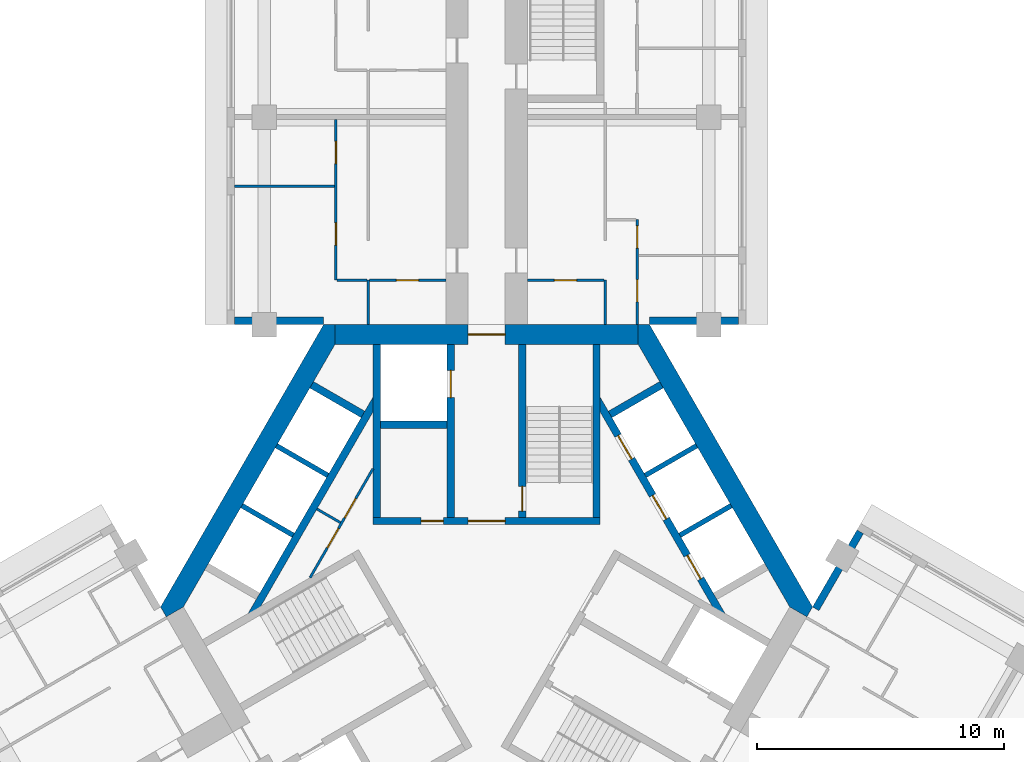
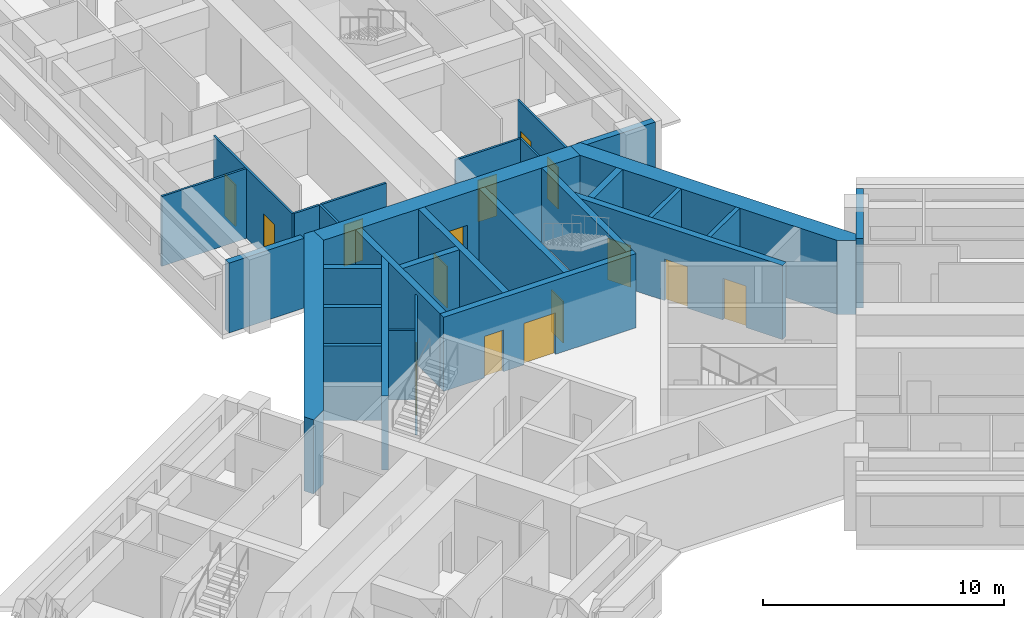
# One storey, part 8 of 14: 30 walls, 16 doors, 16 openings.
"""IFC4 building model written with IfcOpenShell, lengths in metres."""

from ifc_helpers import new_model, si_unit, direction, frame, frame_2d, origin, place, context, subcontext, project, spatial, polyline, rectangle, outline, extrude, material, layer, layer_set, type_object, element, fill, save


model = new_model("IFC4")

# Units and contexts
model_context = context("Model", 3, precision=1e-05, world=origin(), true_north=direction((0.0, 1.0)))
body_context = subcontext(model_context, "Body", "Model", "MODEL_VIEW")
ifc_project = project(units=[si_unit("LENGTHUNIT", "METRE"), si_unit("AREAUNIT", "SQUARE_METRE"), si_unit("VOLUMEUNIT", "CUBIC_METRE"), si_unit("PLANEANGLEUNIT", "RADIAN"), si_unit("MASSUNIT", "GRAM", prefix="KILO")], contexts=[model_context])

# Site, building, storey
site_placement = place(None, origin())
site = spatial("IfcSite", under=ifc_project, at=site_placement, CompositionType="ELEMENT")
building_placement = place(site_placement, origin())
building = spatial("IfcBuilding", under=site, at=building_placement, Name="Impinga Residences", CompositionType="ELEMENT")
storey_placement = place(building_placement, frame((0.0, 0.0, 121.0)))
storey = spatial("IfcBuildingStorey", under=building, at=storey_placement, Name="L29", CompositionType="ELEMENT", Elevation=121.0)

# Wall, openings, doors
ifc_material_1 = material(Name="Concrete blockwork", Category="masonry")
ifc_layer_1 = layer(ifc_material_1, 0.10009765625)
ifc_layer_set_1 = layer_set([ifc_layer_1], Name="CP1 core room partition, blockwork 100")
wall_type_1 = type_object("IfcWallType", Name="CP1 core room partition, blockwork 100", PredefinedType="PARTITIONING", material=ifc_layer_set_1)
wall_1_placement = place(storey_placement, frame((-7.14599609375, 1.185791015625, 0.0), z_axis=(0.0, 0.0, 1.0), x_axis=(0.499975622669, 0.866039477586, 0.0)))
wall_1 = element("IfcWall", 1, at=wall_1_placement, inside=storey, type_object=wall_type_1, Name="Core room partition, blockwork L29:CORE:high:FP", PredefinedType="PARTITIONING", context=body_context, shape_type="SweptSolid", body=[
    extrude(rectangle(XDim=5.092041015625, YDim=0.10009765625, at=frame_2d((2.5458984375, 0.0))), origin(), (0.0, 0.0, 1.0), 3.530029296875),
])
opening_1_placement = place(wall_1_placement, frame((1.39599609375, 0.0, 0.0)))
opening_1 = element("IfcOpeningElement", 2, at=opening_1_placement, cuts=wall_1, Name="Opening D6", PredefinedType="OPENING", context=body_context, shape_type="SweptSolid", body=[
    extrude(rectangle(XDim=0.89990234375, YDim=2.10009765625, at=frame_2d((0.449951171875, 1.050048828125))), frame((0.0, 0.06005859375, 0.0), z_axis=(0.0, -1.0, 0.0), x_axis=(1.0, 0.0, 0.0)), (0.0, 0.0, 1.0), 0.1201171875),
])
opening_2_placement = place(wall_1_placement, frame((2.7958984375, 0.0, 0.0)))
opening_2 = element("IfcOpeningElement", 3, at=opening_2_placement, cuts=wall_1, Name="Opening D6", PredefinedType="OPENING", context=body_context, shape_type="SweptSolid", body=[
    extrude(rectangle(XDim=0.89990234375, YDim=2.10009765625, at=frame_2d((0.449951171875, 1.050048828125))), frame((0.0, 0.06005859375, 0.0), z_axis=(0.0, -1.0, 0.0), x_axis=(1.0, 0.0, 0.0)), (0.0, 0.0, 1.0), 0.1201171875),
])
ifc_material_2 = material(Name="Timber door set", Category="wood")
door_type_1 = type_object("IfcDoorType", Name="D6 riser and store door 900x2100", OperationType="SINGLE_SWING_LEFT", PredefinedType="DOOR", material=ifc_material_2)
door_1_placement = place(opening_1_placement, origin())
door_1 = element("IfcDoor", 4, at=door_1_placement, inside=storey, type_object=door_type_1, Name="Housekeeping store door", OperationType="SINGLE_SWING_LEFT", OverallHeight=2.10009765625, OverallWidth=0.89990234375, PredefinedType="DOOR", context=body_context, shape_type="SweptSolid", body=[
    extrude(rectangle(XDim=0.89990234375, YDim=2.10009765625, at=frame_2d((0.449951171875, 1.050048828125))), frame((0.0, 0.02490234375, 0.0), z_axis=(0.0, -1.0, 0.0), x_axis=(1.0, 0.0, 0.0)), (0.0, 0.0, 1.0), 0.050048828125),
])
fill(opening_1, door_1)
door_2_placement = place(opening_2_placement, origin())
door_2 = element("IfcDoor", 5, at=door_2_placement, inside=storey, type_object=door_type_1, Name="Linen store door", OperationType="SINGLE_SWING_RIGHT", OverallHeight=2.10009765625, OverallWidth=0.89990234375, PredefinedType="DOOR", context=body_context, shape_type="SweptSolid", body=[
    extrude(rectangle(XDim=0.89990234375, YDim=2.10009765625, at=frame_2d((0.449951171875, 1.050048828125))), frame((0.0, 0.02490234375, 0.0), z_axis=(0.0, -1.0, 0.0), x_axis=(1.0, 0.0, 0.0)), (0.0, 0.0, 1.0), 0.050048828125),
])
fill(opening_2, door_2)

# Walls
wall_2_placement = place(storey_placement, frame((-5.916259765625, 3.415771484375, 0.0), z_axis=(0.0, 0.0, 1.0), x_axis=(-0.866008176907, 0.50002983664, 0.0)))
element("IfcWall", 6, at=wall_2_placement, inside=storey, type_object=wall_type_1, Name="Core room partition, blockwork L29:CORE:high:FS", PredefinedType="PARTITIONING", context=body_context, shape_type="SweptSolid", body=[
    extrude(rectangle(XDim=1.10009765625, YDim=0.10009765625, at=frame_2d((0.550048828125, 0.0))), origin(), (0.0, 0.0, 1.0), 3.530029296875),
])
ifc_material_3 = material(Name="Terracotta rainscreen on blockwork", Category="masonry")
ifc_layer_2 = layer(ifc_material_3, 0.300048828125)
ifc_layer_set_2 = layer_set([ifc_layer_2], Name="EW1 external wall, terracotta rainscreen on blockwork 300")
wall_type_2 = type_object("IfcWallType", Name="EW1 external wall, terracotta rainscreen on blockwork 300", PredefinedType="SOLIDWALL", material=ifc_layer_set_2)
for number, where, z_axis, x_axis, name in (
    (7, (-6.60009765625, 11.58154296875, 0.0), (0.0, 0.0, 1.0), (-1.0, 0.0, 0.0), "External wall EW1 L29"),
    (8, (10.199951171875, 11.58154296875, 0.0), (0.0, 0.0, 1.0), (-1.0, 0.0, 0.0), "External wall EW1 L29"),
):
    element("IfcWall", number, at=place(storey_placement, frame(where, z_axis=z_axis, x_axis=x_axis)), inside=storey, type_object=wall_type_2, Name=name, PredefinedType="SOLIDWALL", context=body_context, shape_type="SweptSolid", body=[
        extrude(rectangle(XDim=3.599853515625, YDim=0.300048828125, at=frame_2d((1.7998046875, 0.0))), origin(), (0.0, 0.0, 1.0), 3.530029296875),
    ])
wall_3_placement = place(storey_placement, frame((13.329833984375, -0.074951171875, 0.0), z_axis=(0.0, 0.0, 1.0), x_axis=(0.500012057535, 0.866018442252, 0.0)))
element("IfcWall", 9, at=wall_3_placement, inside=storey, type_object=wall_type_2, Name="External wall EW1 L29", PredefinedType="SOLIDWALL", context=body_context, shape_type="SweptSolid", body=[
    extrude(rectangle(XDim=3.60009765625, YDim=0.300048828125, at=frame_2d((1.800048828125, 0.0))), origin(), (0.0, 0.0, 1.0), 3.530029296875),
])
ifc_material_4 = material(Name="Gypsum board on steel studs", Category="steel")
ifc_layer_3 = layer(ifc_material_4, 0.10009765625)
ifc_layer_set_3 = layer_set([ifc_layer_3], Name="Gypsum board on steel studs")
wall_type_3 = type_object("IfcWallType", Name="IP1 partition 100", PredefinedType="PARTITIONING", material=ifc_layer_set_3)
wall_4_placement = place(storey_placement, frame((-4.800048828125, 11.431640625, 0.0), z_axis=(0.0, 0.0, 1.0), x_axis=(0.0, 1.0, 0.0)))
element("IfcWall", 10, at=wall_4_placement, inside=storey, type_object=wall_type_3, Name="Partition L29-NA1:DIV0", PredefinedType="PARTITIONING", context=body_context, shape_type="SweptSolid", body=[
    extrude(rectangle(XDim=1.7998046875, YDim=0.10009765625, at=frame_2d((0.89990234375, 0.0))), origin(), (0.0, 0.0, 1.0), 3.530029296875),
])

# Wall, openings, doors
wall_5_placement = place(storey_placement, frame((-6.10009765625, 13.2314453125, 0.0), z_axis=(0.0, 0.0, 1.0), x_axis=(0.0, 1.0, 0.0)))
wall_5 = element("IfcWall", 11, at=wall_5_placement, inside=storey, type_object=wall_type_3, Name="Partition L29-NA1:STRIP", PredefinedType="PARTITIONING", context=body_context, shape_type="SweptSolid", body=[
    extrude(rectangle(XDim=6.5, YDim=0.10009765625, at=frame_2d((3.25, 0.0))), origin(), (0.0, 0.0, 1.0), 3.530029296875),
])
opening_3_placement = place(wall_5_placement, frame((1.425048828125, 0.0, 0.0)))
opening_3 = element("IfcOpeningElement", 12, at=opening_3_placement, cuts=wall_5, Name="Opening D2", PredefinedType="OPENING", context=body_context, shape_type="SweptSolid", body=[
    extrude(rectangle(XDim=0.89990234375, YDim=2.10009765625, at=frame_2d((0.449951171875, 1.050048828125))), frame((0.0, 0.06005859375, 0.0), z_axis=(0.0, -1.0, 0.0), x_axis=(1.0, 0.0, 0.0)), (0.0, 0.0, 1.0), 0.1201171875),
])
opening_4_placement = place(wall_5_placement, frame((4.72509765625, 0.0, 0.0)))
opening_4 = element("IfcOpeningElement", 13, at=opening_4_placement, cuts=wall_5, Name="Opening D2", PredefinedType="OPENING", context=body_context, shape_type="SweptSolid", body=[
    extrude(rectangle(XDim=0.89990234375, YDim=2.10009765625, at=frame_2d((0.449951171875, 1.050048828125))), frame((0.0, 0.06005859375, 0.0), z_axis=(0.0, -1.0, 0.0), x_axis=(1.0, 0.0, 0.0)), (0.0, 0.0, 1.0), 0.1201171875),
])
door_type_2 = type_object("IfcDoorType", Name="D2 internal door 900x2100", OperationType="SINGLE_SWING_LEFT", PredefinedType="DOOR", material=ifc_material_2)
door_3_placement = place(opening_3_placement, origin())
door_3 = element("IfcDoor", 14, at=door_3_placement, inside=storey, type_object=door_type_2, Name="Apartment L29-NA1 room door", OperationType="SINGLE_SWING_LEFT", OverallHeight=2.10009765625, OverallWidth=0.89990234375, PredefinedType="DOOR", context=body_context, shape_type="SweptSolid", body=[
    extrude(rectangle(XDim=0.89990234375, YDim=2.10009765625, at=frame_2d((0.449951171875, 1.050048828125))), frame((0.0, 0.02490234375, 0.0), z_axis=(0.0, -1.0, 0.0), x_axis=(1.0, 0.0, 0.0)), (0.0, 0.0, 1.0), 0.050048828125),
])
fill(opening_3, door_3)
door_4_placement = place(opening_4_placement, origin())
door_4 = element("IfcDoor", 15, at=door_4_placement, inside=storey, type_object=door_type_2, Name="Apartment L29-NA1 room door", OperationType="SINGLE_SWING_RIGHT", OverallHeight=2.10009765625, OverallWidth=0.89990234375, PredefinedType="DOOR", context=body_context, shape_type="SweptSolid", body=[
    extrude(rectangle(XDim=0.89990234375, YDim=2.10009765625, at=frame_2d((0.449951171875, 1.050048828125))), frame((0.0, 0.02490234375, 0.0), z_axis=(0.0, -1.0, 0.0), x_axis=(1.0, 0.0, 0.0)), (0.0, 0.0, 1.0), 0.050048828125),
])
fill(opening_4, door_4)

# Wall
wall_6_placement = place(storey_placement, frame((-4.85009765625, 13.2314453125, 0.0), z_axis=(0.0, 0.0, 1.0), x_axis=(-1.0, 0.0, 0.0)))
element("IfcWall", 16, at=wall_6_placement, inside=storey, type_object=wall_type_3, Name="Partition L29-NA1:SE0", PredefinedType="PARTITIONING", context=body_context, shape_type="SweptSolid", body=[
    extrude(rectangle(XDim=1.199951171875, YDim=0.10009765625, at=frame_2d((0.60009765625, 0.0))), origin(), (0.0, 0.0, 1.0), 3.530029296875),
])

# Wall, opening, door
wall_7_placement = place(storey_placement, frame((-1.64990234375, 13.2314453125, 0.0), z_axis=(0.0, 0.0, 1.0), x_axis=(-1.0, 0.0, 0.0)))
wall_7 = element("IfcWall", 17, at=wall_7_placement, inside=storey, type_object=wall_type_3, Name="Partition L29-NA1:IB1", PredefinedType="PARTITIONING", context=body_context, shape_type="SweptSolid", body=[
    extrude(rectangle(XDim=3.10009765625, YDim=0.10009765625, at=frame_2d((1.550048828125, 0.0))), origin(), (0.0, 0.0, 1.0), 3.530029296875),
])
opening_5_placement = place(wall_7_placement, frame((1.10009765625, 0.0, 0.0)))
opening_5 = element("IfcOpeningElement", 18, at=opening_5_placement, cuts=wall_7, Name="Opening D2", PredefinedType="OPENING", context=body_context, shape_type="SweptSolid", body=[
    extrude(rectangle(XDim=0.89990234375, YDim=2.10009765625, at=frame_2d((0.449951171875, 1.050048828125))), frame((0.0, 0.06005859375, 0.0), z_axis=(0.0, -1.0, 0.0), x_axis=(1.0, 0.0, 0.0)), (0.0, 0.0, 1.0), 0.1201171875),
])
door_5_placement = place(opening_5_placement, origin())
door_5 = element("IfcDoor", 19, at=door_5_placement, inside=storey, type_object=door_type_2, Name="Apartment L29-NA1 bathroom door", OperationType="SINGLE_SWING_LEFT", OverallHeight=2.10009765625, OverallWidth=0.89990234375, PredefinedType="DOOR", context=body_context, shape_type="SweptSolid", body=[
    extrude(rectangle(XDim=0.89990234375, YDim=2.10009765625, at=frame_2d((0.449951171875, 1.050048828125))), frame((0.0, 0.02490234375, 0.0), z_axis=(0.0, -1.0, 0.0), x_axis=(1.0, 0.0, 0.0)), (0.0, 0.0, 1.0), 0.050048828125),
])
fill(opening_5, door_5)

# Walls
wall_8_placement = place(storey_placement, frame((-6.14990234375, 17.031494140625, 0.0), z_axis=(0.0, 0.0, 1.0), x_axis=(-1.0, 0.0, 0.0)))
element("IfcWall", 20, at=wall_8_placement, inside=storey, type_object=wall_type_3, Name="Partition L29-NA1:OB1", PredefinedType="PARTITIONING", context=body_context, shape_type="SweptSolid", body=[
    extrude(rectangle(XDim=4.050048828125, YDim=0.10009765625, at=frame_2d((2.02490234375, 0.0))), origin(), (0.0, 0.0, 1.0), 3.530029296875),
])
wall_9_placement = place(storey_placement, frame((4.800048828125, 11.431640625, 0.0), z_axis=(0.0, 0.0, 1.0), x_axis=(0.0, 1.0, 0.0)))
element("IfcWall", 21, at=wall_9_placement, inside=storey, type_object=wall_type_3, Name="Partition L29-NF1:DIV0", PredefinedType="PARTITIONING", context=body_context, shape_type="SweptSolid", body=[
    extrude(rectangle(XDim=1.7998046875, YDim=0.10009765625, at=frame_2d((0.89990234375, 0.0))), origin(), (0.0, 0.0, 1.0), 3.530029296875),
])

# Wall, openings, doors
wall_10_placement = place(storey_placement, frame((6.10009765625, 11.431640625, 0.0), z_axis=(0.0, 0.0, 1.0), x_axis=(0.0, 1.0, 0.0)))
wall_10 = element("IfcWall", 22, at=wall_10_placement, inside=storey, type_object=wall_type_3, Name="Partition L29-NF1:STRIP", PredefinedType="PARTITIONING", context=body_context, shape_type="SweptSolid", body=[
    extrude(rectangle(XDim=4.25, YDim=0.10009765625, at=frame_2d((2.125, 0.0))), origin(), (0.0, 0.0, 1.0), 3.530029296875),
])
opening_6_placement = place(wall_10_placement, frame((0.925048828125, 0.0, 0.0)))
opening_6 = element("IfcOpeningElement", 23, at=opening_6_placement, cuts=wall_10, Name="Opening D2", PredefinedType="OPENING", context=body_context, shape_type="SweptSolid", body=[
    extrude(rectangle(XDim=0.89990234375, YDim=2.10009765625, at=frame_2d((0.449951171875, 1.050048828125))), frame((0.0, 0.06005859375, 0.0), z_axis=(0.0, -1.0, 0.0), x_axis=(1.0, 0.0, 0.0)), (0.0, 0.0, 1.0), 0.1201171875),
])
opening_7_placement = place(wall_10_placement, frame((3.10009765625, 0.0, 0.0)))
opening_7 = element("IfcOpeningElement", 24, at=opening_7_placement, cuts=wall_10, Name="Opening D2", PredefinedType="OPENING", context=body_context, shape_type="SweptSolid", body=[
    extrude(rectangle(XDim=0.89990234375, YDim=2.10009765625, at=frame_2d((0.449951171875, 1.050048828125))), frame((0.0, 0.06005859375, 0.0), z_axis=(0.0, -1.0, 0.0), x_axis=(1.0, 0.0, 0.0)), (0.0, 0.0, 1.0), 0.1201171875),
])
door_6_placement = place(opening_6_placement, origin())
door_6 = element("IfcDoor", 25, at=door_6_placement, inside=storey, type_object=door_type_2, Name="Apartment L29-NF1 room door", OperationType="SINGLE_SWING_LEFT", OverallHeight=2.10009765625, OverallWidth=0.89990234375, PredefinedType="DOOR", context=body_context, shape_type="SweptSolid", body=[
    extrude(rectangle(XDim=0.89990234375, YDim=2.10009765625, at=frame_2d((0.449951171875, 1.050048828125))), frame((0.0, 0.02490234375, 0.0), z_axis=(0.0, -1.0, 0.0), x_axis=(1.0, 0.0, 0.0)), (0.0, 0.0, 1.0), 0.050048828125),
])
fill(opening_6, door_6)
door_7_placement = place(opening_7_placement, origin())
door_7 = element("IfcDoor", 26, at=door_7_placement, inside=storey, type_object=door_type_2, Name="Apartment L29-NF1 room door", OperationType="SINGLE_SWING_RIGHT", OverallHeight=2.10009765625, OverallWidth=0.89990234375, PredefinedType="DOOR", context=body_context, shape_type="SweptSolid", body=[
    extrude(rectangle(XDim=0.89990234375, YDim=2.10009765625, at=frame_2d((0.449951171875, 1.050048828125))), frame((0.0, 0.02490234375, 0.0), z_axis=(0.0, -1.0, 0.0), x_axis=(1.0, 0.0, 0.0)), (0.0, 0.0, 1.0), 0.050048828125),
])
fill(opening_7, door_7)

# Wall, opening, door
wall_11_placement = place(storey_placement, frame((1.64990234375, 13.2314453125, 0.0), z_axis=(0.0, 0.0, 1.0), x_axis=(1.0, 0.0, 0.0)))
wall_11 = element("IfcWall", 27, at=wall_11_placement, inside=storey, type_object=wall_type_3, Name="Partition L29-NF1:IB1", PredefinedType="PARTITIONING", context=body_context, shape_type="SweptSolid", body=[
    extrude(rectangle(XDim=3.10009765625, YDim=0.10009765625, at=frame_2d((1.550048828125, 0.0))), origin(), (0.0, 0.0, 1.0), 3.530029296875),
])
opening_8_placement = place(wall_11_placement, frame((1.10009765625, 0.0, 0.0)))
opening_8 = element("IfcOpeningElement", 28, at=opening_8_placement, cuts=wall_11, Name="Opening D2", PredefinedType="OPENING", context=body_context, shape_type="SweptSolid", body=[
    extrude(rectangle(XDim=0.89990234375, YDim=2.10009765625, at=frame_2d((0.449951171875, 1.050048828125))), frame((0.0, 0.06005859375, 0.0), z_axis=(0.0, -1.0, 0.0), x_axis=(1.0, 0.0, 0.0)), (0.0, 0.0, 1.0), 0.1201171875),
])
door_8_placement = place(opening_8_placement, origin())
door_8 = element("IfcDoor", 29, at=door_8_placement, inside=storey, type_object=door_type_2, Name="Apartment L29-NF1 bathroom door", OperationType="SINGLE_SWING_LEFT", OverallHeight=2.10009765625, OverallWidth=0.89990234375, PredefinedType="DOOR", context=body_context, shape_type="SweptSolid", body=[
    extrude(rectangle(XDim=0.89990234375, YDim=2.10009765625, at=frame_2d((0.449951171875, 1.050048828125))), frame((0.0, 0.02490234375, 0.0), z_axis=(0.0, -1.0, 0.0), x_axis=(1.0, 0.0, 0.0)), (0.0, 0.0, 1.0), 0.050048828125),
])
fill(opening_8, door_8)

ifc_material_5 = material(Name="Concrete C60/75", Category="concrete")
ifc_layer_4 = layer(ifc_material_5, 0.800048828125)
ifc_layer_set_4 = layer_set([ifc_layer_4], Name="Concrete C60/75")
wall_type_4 = type_object("IfcWallType", Name="SW2 core wall 800", PredefinedType="SHEAR", material=ifc_layer_set_4)
wall_12_placement = place(storey_placement, frame((-6.13818359375, 11.031494140625, 0.0), z_axis=(0.0, 0.0, 1.0), x_axis=(1.0, 0.0, 0.0)))
wall_12 = element("IfcWall", 30, at=wall_12_placement, inside=storey, type_object=wall_type_4, Name="Core wall SW2 N:FACE L29", PredefinedType="SHEAR", context=body_context, shape_type="SweptSolid", body=[
    extrude(rectangle(XDim=12.2763671875, YDim=0.800048828125, at=frame_2d((6.13818359375, 0.0))), origin(), (0.0, 0.0, 1.0), 3.75),
])
opening_9_placement = place(wall_12_placement, frame((5.38818359375, 0.0, 0.0)))
opening_9 = element("IfcOpeningElement", 31, at=opening_9_placement, cuts=wall_12, Name="Opening D4", PredefinedType="OPENING", context=body_context, shape_type="SweptSolid", body=[
    extrude(rectangle(XDim=1.5, YDim=2.10009765625, at=frame_2d((0.75, 1.050048828125))), frame((0.0, 0.409912109375, 0.0), z_axis=(0.0, -1.0, 0.0), x_axis=(1.0, 0.0, 0.0)), (0.0, 0.0, 1.0), 0.820068359375),
])
door_type_3 = type_object("IfcDoorType", Name="D4 lobby door pair 1500x2100", OperationType="DOUBLE_DOOR_DOUBLE_SWING", PredefinedType="DOOR", material=ifc_material_2)
door_9_placement = place(opening_9_placement, origin())
door_9 = element("IfcDoor", 32, at=door_9_placement, inside=storey, type_object=door_type_3, Name="Lobby door N", OperationType="DOUBLE_DOOR_DOUBLE_SWING", OverallHeight=2.10009765625, OverallWidth=1.5, PredefinedType="DOOR", context=body_context, shape_type="SweptSolid", body=[
    extrude(rectangle(XDim=1.5, YDim=2.10009765625, at=frame_2d((0.75, 1.050048828125))), frame((0.0, 0.02490234375, 0.0), z_axis=(0.0, -1.0, 0.0), x_axis=(1.0, 0.0, 0.0)), (0.0, 0.0, 1.0), 0.050048828125),
])
fill(opening_9, door_9)

# Walls
wall_13_placement = place(storey_placement, origin())
element("IfcWall", 33, at=wall_13_placement, inside=storey, type_object=wall_type_4, Name="Core wall SW2 W:EXPOSED L29", PredefinedType="SHEAR", context=body_context, shape_type="SweptSolid", body=[
    extrude(outline(polyline([(13.199951171875, 0.0), (6.60009765625, 11.431640625), (6.13818359375, 11.431640625), (6.13818359375, 10.631591796875), (12.276123046875, 0.0), (12.968994140625, -0.39990234375), (13.199951171875, 0.0)])), origin(), (0.0, 0.0, 1.0), 3.75),
])
wall_14_placement = place(storey_placement, origin())
element("IfcWall", 34, at=wall_14_placement, inside=storey, type_object=wall_type_4, Name="Core wall SW2 E:EXPOSED L29", PredefinedType="SHEAR", context=body_context, shape_type="SweptSolid", body=[
    extrude(outline(polyline([(-6.60009765625, 11.431640625), (-13.199951171875, 0.0), (-12.968994140625, -0.39990234375), (-12.276123046875, 0.0), (-6.13818359375, 10.631591796875), (-6.13818359375, 11.431640625), (-6.60009765625, 11.431640625)])), origin(), (0.0, 0.0, 1.0), 3.75),
])

# Wall, openings, doors
ifc_material_6 = material(Name="Concrete C70/85", Category="concrete")
ifc_layer_5 = layer(ifc_material_6, 0.300048828125)
ifc_layer_set_5 = layer_set([ifc_layer_5], Name="Concrete C70/85")
wall_type_5 = type_object("IfcWallType", Name="SW5 core inner wall, stairs, shafts and lobbies 300", PredefinedType="SHEAR", material=ifc_layer_set_5)
wall_15_placement = place(storey_placement, frame((-4.60009765625, 3.47998046875, 0.0), z_axis=(0.0, 0.0, 1.0), x_axis=(1.0, 0.0, 0.0)))
wall_15 = element("IfcWall", 35, at=wall_15_placement, inside=storey, type_object=wall_type_5, Name="Core wall SW5 N:ZONE L29", PredefinedType="SHEAR", context=body_context, shape_type="SweptSolid", body=[
    extrude(rectangle(XDim=9.2001953125, YDim=0.300048828125, at=frame_2d((4.60009765625, 0.0))), origin(), (0.0, 0.0, 1.0), 3.75),
])
opening_10_placement = place(wall_15_placement, frame((3.85009765625, 0.0, 0.0)))
opening_10 = element("IfcOpeningElement", 36, at=opening_10_placement, cuts=wall_15, Name="Opening D4", PredefinedType="OPENING", context=body_context, shape_type="SweptSolid", body=[
    extrude(rectangle(XDim=1.5, YDim=2.10009765625, at=frame_2d((0.75, 1.050048828125))), frame((0.0, 0.159912109375, 0.0), z_axis=(0.0, -1.0, 0.0), x_axis=(1.0, 0.0, 0.0)), (0.0, 0.0, 1.0), 0.320068359375),
])
opening_11_placement = place(wall_15_placement, frame((1.949951171875, 0.0, 0.0)))
opening_11 = element("IfcOpeningElement", 37, at=opening_11_placement, cuts=wall_15, Name="Opening D6", PredefinedType="OPENING", context=body_context, shape_type="SweptSolid", body=[
    extrude(rectangle(XDim=0.89990234375, YDim=2.10009765625, at=frame_2d((0.449951171875, 1.050048828125))), frame((0.0, 0.159912109375, 0.0), z_axis=(0.0, -1.0, 0.0), x_axis=(1.0, 0.0, 0.0)), (0.0, 0.0, 1.0), 0.320068359375),
])
door_10_placement = place(opening_10_placement, origin())
door_10 = element("IfcDoor", 38, at=door_10_placement, inside=storey, type_object=door_type_3, Name="Firefighting lobby door N", OperationType="DOUBLE_DOOR_DOUBLE_SWING", OverallHeight=2.10009765625, OverallWidth=1.5, PredefinedType="DOOR", context=body_context, shape_type="SweptSolid", body=[
    extrude(rectangle(XDim=1.5, YDim=2.10009765625, at=frame_2d((0.75, 1.050048828125))), frame((0.0, 0.02490234375, 0.0), z_axis=(0.0, -1.0, 0.0), x_axis=(1.0, 0.0, 0.0)), (0.0, 0.0, 1.0), 0.050048828125),
])
fill(opening_10, door_10)
door_11_placement = place(opening_11_placement, origin())
door_11 = element("IfcDoor", 39, at=door_11_placement, inside=storey, type_object=door_type_1, Name="Riser door N", OperationType="SINGLE_SWING_LEFT", OverallHeight=2.10009765625, OverallWidth=0.89990234375, PredefinedType="DOOR", context=body_context, shape_type="SweptSolid", body=[
    extrude(rectangle(XDim=0.89990234375, YDim=2.10009765625, at=frame_2d((0.449951171875, 1.050048828125))), frame((0.0, 0.02490234375, 0.0), z_axis=(0.0, -1.0, 0.0), x_axis=(1.0, 0.0, 0.0)), (0.0, 0.0, 1.0), 0.050048828125),
])
fill(opening_11, door_11)

# Wall, opening, door
wall_16_placement = place(storey_placement, frame((1.449951171875, 3.6298828125, 0.0), z_axis=(0.0, 0.0, 1.0), x_axis=(0.0, 1.0, 0.0)))
wall_16 = element("IfcWall", 40, at=wall_16_placement, inside=storey, type_object=wall_type_5, Name="Core wall SW5 N:ST-IN L29", PredefinedType="SHEAR", context=body_context, shape_type="SweptSolid", body=[
    extrude(rectangle(XDim=7.001708984375, YDim=0.300048828125, at=frame_2d((3.5009765625, 0.0))), origin(), (0.0, 0.0, 1.0), 3.75),
])
opening_12_placement = place(wall_16_placement, frame((0.25, 0.0, 0.0)))
opening_12 = element("IfcOpeningElement", 41, at=opening_12_placement, cuts=wall_16, Name="Opening D5", PredefinedType="OPENING", context=body_context, shape_type="SweptSolid", body=[
    extrude(rectangle(XDim=1.0, YDim=2.10009765625, at=frame_2d((0.5, 1.050048828125))), frame((0.0, 0.159912109375, 0.0), z_axis=(0.0, -1.0, 0.0), x_axis=(1.0, 0.0, 0.0)), (0.0, 0.0, 1.0), 0.320068359375),
])
door_type_4 = type_object("IfcDoorType", Name="D5 stair door 1000x2100", OperationType="SINGLE_SWING_LEFT", PredefinedType="DOOR", material=ifc_material_2)
door_12_placement = place(opening_12_placement, origin())
door_12 = element("IfcDoor", 42, at=door_12_placement, inside=storey, type_object=door_type_4, Name="Stair door N", OperationType="SINGLE_SWING_LEFT", OverallHeight=2.10009765625, OverallWidth=1.0, PredefinedType="DOOR", context=body_context, shape_type="SweptSolid", body=[
    extrude(rectangle(XDim=1.0, YDim=2.10009765625, at=frame_2d((0.5, 1.050048828125))), frame((0.0, 0.02490234375, 0.0), z_axis=(0.0, -1.0, 0.0), x_axis=(1.0, 0.0, 0.0)), (0.0, 0.0, 1.0), 0.050048828125),
])
fill(opening_12, door_12)

# Wall
wall_17_placement = place(storey_placement, frame((4.449951171875, 3.6298828125, 0.0), z_axis=(0.0, 0.0, 1.0), x_axis=(0.0, 1.0, 0.0)))
element("IfcWall", 43, at=wall_17_placement, inside=storey, type_object=wall_type_5, Name="Core wall SW5 N:ST-OUT L29", PredefinedType="SHEAR", context=body_context, shape_type="SweptSolid", body=[
    extrude(rectangle(XDim=7.001708984375, YDim=0.300048828125, at=frame_2d((3.5009765625, 0.0))), origin(), (0.0, 0.0, 1.0), 3.75),
])

# Wall, opening, door
wall_18_placement = place(storey_placement, frame((-1.449951171875, 3.6298828125, 0.0), z_axis=(0.0, 0.0, 1.0), x_axis=(0.0, 1.0, 0.0)))
wall_18 = element("IfcWall", 44, at=wall_18_placement, inside=storey, type_object=wall_type_5, Name="Core wall SW5 N:FF-IN L29", PredefinedType="SHEAR", context=body_context, shape_type="SweptSolid", body=[
    extrude(rectangle(XDim=7.001708984375, YDim=0.300048828125, at=frame_2d((3.5009765625, 0.0))), origin(), (0.0, 0.0, 1.0), 3.75),
])
opening_13_placement = place(wall_18_placement, frame((4.85009765625, 0.0, 0.0)))
opening_13 = element("IfcOpeningElement", 45, at=opening_13_placement, cuts=wall_18, Name="Opening LD2", PredefinedType="OPENING", context=body_context, shape_type="SweptSolid", body=[
    extrude(rectangle(XDim=1.10009765625, YDim=2.10009765625, at=frame_2d((0.550048828125, 1.050048828125))), frame((0.0, 0.159912109375, 0.0), z_axis=(0.0, -1.0, 0.0), x_axis=(1.0, 0.0, 0.0)), (0.0, 0.0, 1.0), 0.320068359375),
])
ifc_material_7 = material(Name="Steel lift landing door", Category="steel")
door_type_5 = type_object("IfcDoorType", Name="LD2 firefighting lift landing door 1100x2100", OperationType="DOUBLE_DOOR_SLIDING", PredefinedType="DOOR", material=ifc_material_7)
door_13_placement = place(opening_13_placement, origin())
door_13 = element("IfcDoor", 46, at=door_13_placement, inside=storey, type_object=door_type_5, Name="Firefighting lift landing door F1", OperationType="DOUBLE_DOOR_SLIDING", OverallHeight=2.10009765625, OverallWidth=1.10009765625, PredefinedType="DOOR", context=body_context, shape_type="SweptSolid", body=[
    extrude(rectangle(XDim=1.10009765625, YDim=2.10009765625, at=frame_2d((0.550048828125, 1.050048828125))), frame((0.0, 0.02490234375, 0.0), z_axis=(0.0, -1.0, 0.0), x_axis=(1.0, 0.0, 0.0)), (0.0, 0.0, 1.0), 0.050048828125),
])
fill(opening_13, door_13)

# Walls
wall_19_placement = place(storey_placement, frame((-4.449951171875, 3.6298828125, 0.0), z_axis=(0.0, 0.0, 1.0), x_axis=(0.0, 1.0, 0.0)))
element("IfcWall", 47, at=wall_19_placement, inside=storey, type_object=wall_type_5, Name="Core wall SW5 N:FF-OUT L29", PredefinedType="SHEAR", context=body_context, shape_type="SweptSolid", body=[
    extrude(rectangle(XDim=7.001708984375, YDim=0.300048828125, at=frame_2d((3.5009765625, 0.0))), origin(), (0.0, 0.0, 1.0), 3.75),
])
wall_20_placement = place(storey_placement, frame((-4.300048828125, 7.3798828125, 0.0), z_axis=(0.0, 0.0, 1.0), x_axis=(1.0, 0.0, 0.0)))
element("IfcWall", 48, at=wall_20_placement, inside=storey, type_object=wall_type_5, Name="Core wall SW5 N:FF-RS L29", PredefinedType="SHEAR", context=body_context, shape_type="SweptSolid", body=[
    extrude(rectangle(XDim=2.699951171875, YDim=0.300048828125, at=frame_2d((1.35009765625, 0.0))), origin(), (0.0, 0.0, 1.0), 3.75),
])

# Wall, openings, doors
wall_21_placement = place(storey_placement, frame((4.449951171875, 8.455322265625, 0.0), z_axis=(0.0, 0.0, 1.0), x_axis=(0.500002290144, -0.866024081565, 0.0)))
wall_21 = element("IfcWall", 49, at=wall_21_placement, inside=storey, type_object=wall_type_5, Name="Core wall SW5 W:BANK-FRONT L29", PredefinedType="SHEAR", context=body_context, shape_type="SweptSolid", body=[
    extrude(rectangle(XDim=10.1953125, YDim=0.300048828125, at=frame_2d((5.09765625, 0.0))), origin(), (0.0, 0.0, 1.0), 3.75),
])
opening_14_placement = place(wall_21_placement, frame((1.74755859375, 0.0, 0.0)))
opening_14 = element("IfcOpeningElement", 50, at=opening_14_placement, cuts=wall_21, Name="Opening LD1", PredefinedType="OPENING", context=body_context, shape_type="SweptSolid", body=[
    extrude(rectangle(XDim=1.10009765625, YDim=2.10009765625, at=frame_2d((0.550048828125, 1.050048828125))), frame((0.0, 0.159912109375, 0.0), z_axis=(0.0, -1.0, 0.0), x_axis=(1.0, 0.0, 0.0)), (0.0, 0.0, 1.0), 0.320068359375),
])
opening_15_placement = place(wall_21_placement, frame((4.547607421875, 0.0, 0.0)))
opening_15 = element("IfcOpeningElement", 51, at=opening_15_placement, cuts=wall_21, Name="Opening LD1", PredefinedType="OPENING", context=body_context, shape_type="SweptSolid", body=[
    extrude(rectangle(XDim=1.10009765625, YDim=2.10009765625, at=frame_2d((0.550048828125, 1.050048828125))), frame((0.0, 0.159912109375, 0.0), z_axis=(0.0, -1.0, 0.0), x_axis=(1.0, 0.0, 0.0)), (0.0, 0.0, 1.0), 0.320068359375),
])
opening_16_placement = place(wall_21_placement, frame((7.34765625, 0.0, 0.0)))
opening_16 = element("IfcOpeningElement", 52, at=opening_16_placement, cuts=wall_21, Name="Opening LD1", PredefinedType="OPENING", context=body_context, shape_type="SweptSolid", body=[
    extrude(rectangle(XDim=1.10009765625, YDim=2.10009765625, at=frame_2d((0.550048828125, 1.050048828125))), frame((0.0, 0.159912109375, 0.0), z_axis=(0.0, -1.0, 0.0), x_axis=(1.0, 0.0, 0.0)), (0.0, 0.0, 1.0), 0.320068359375),
])
door_type_6 = type_object("IfcDoorType", Name="LD1 passenger lift landing door 1100x2100", OperationType="DOUBLE_DOOR_SLIDING", PredefinedType="DOOR", material=ifc_material_7)
door_14_placement = place(opening_14_placement, origin())
door_14 = element("IfcDoor", 53, at=door_14_placement, inside=storey, type_object=door_type_6, Name="Lift landing door P4", OperationType="DOUBLE_DOOR_SLIDING", OverallHeight=2.10009765625, OverallWidth=1.10009765625, PredefinedType="DOOR", context=body_context, shape_type="SweptSolid", body=[
    extrude(rectangle(XDim=1.10009765625, YDim=2.10009765625, at=frame_2d((0.550048828125, 1.050048828125))), frame((0.0, 0.02490234375, 0.0), z_axis=(0.0, -1.0, 0.0), x_axis=(1.0, 0.0, 0.0)), (0.0, 0.0, 1.0), 0.050048828125),
])
fill(opening_14, door_14)
door_15_placement = place(opening_15_placement, origin())
door_15 = element("IfcDoor", 54, at=door_15_placement, inside=storey, type_object=door_type_6, Name="Lift landing door P5", OperationType="DOUBLE_DOOR_SLIDING", OverallHeight=2.10009765625, OverallWidth=1.10009765625, PredefinedType="DOOR", context=body_context, shape_type="SweptSolid", body=[
    extrude(rectangle(XDim=1.10009765625, YDim=2.10009765625, at=frame_2d((0.550048828125, 1.050048828125))), frame((0.0, 0.02490234375, 0.0), z_axis=(0.0, -1.0, 0.0), x_axis=(1.0, 0.0, 0.0)), (0.0, 0.0, 1.0), 0.050048828125),
])
fill(opening_15, door_15)
door_16_placement = place(opening_16_placement, origin())
door_16 = element("IfcDoor", 55, at=door_16_placement, inside=storey, type_object=door_type_6, Name="Lift landing door P6", OperationType="DOUBLE_DOOR_SLIDING", OverallHeight=2.10009765625, OverallWidth=1.10009765625, PredefinedType="DOOR", context=body_context, shape_type="SweptSolid", body=[
    extrude(rectangle(XDim=1.10009765625, YDim=2.10009765625, at=frame_2d((0.550048828125, 1.050048828125))), frame((0.0, 0.02490234375, 0.0), z_axis=(0.0, -1.0, 0.0), x_axis=(1.0, 0.0, 0.0)), (0.0, 0.0, 1.0), 0.050048828125),
])
fill(opening_16, door_16)

# Walls
wall_22_placement = place(storey_placement, frame((5.003662109375, 7.79638671875, 0.0), z_axis=(0.0, 0.0, 1.0), x_axis=(0.866050077142, 0.499957262057, 0.0)))
element("IfcWall", 56, at=wall_22_placement, inside=storey, type_object=wall_type_5, Name="Core wall SW5 W:BANK-L L29", PredefinedType="SHEAR", context=body_context, shape_type="SweptSolid", body=[
    extrude(rectangle(XDim=2.400146484375, YDim=0.300048828125, at=frame_2d((1.2001953125, 0.0))), origin(), (0.0, 0.0, 1.0), 3.75),
])
wall_23_placement = place(storey_placement, frame((-9.547607421875, -0.3740234375, 0.0), z_axis=(0.0, 0.0, 1.0), x_axis=(0.500002290144, 0.866024081565, 0.0)))
element("IfcWall", 57, at=wall_23_placement, inside=storey, type_object=wall_type_5, Name="Core wall SW5 E:BANK-FRONT L29", PredefinedType="SHEAR", context=body_context, shape_type="SweptSolid", body=[
    extrude(rectangle(XDim=10.1953125, YDim=0.300048828125, at=frame_2d((5.09765625, 0.0))), origin(), (0.0, 0.0, 1.0), 3.75),
])
wall_24_placement = place(storey_placement, frame((-5.003662109375, 7.79638671875, 0.0), z_axis=(0.0, 0.0, 1.0), x_axis=(-0.866050077142, 0.499957262057, 0.0)))
element("IfcWall", 58, at=wall_24_placement, inside=storey, type_object=wall_type_5, Name="Core wall SW5 E:BANK-R L29", PredefinedType="SHEAR", context=body_context, shape_type="SweptSolid", body=[
    extrude(rectangle(XDim=2.400146484375, YDim=0.300048828125, at=frame_2d((1.2001953125, 0.0))), origin(), (0.0, 0.0, 1.0), 3.75),
])
ifc_layer_6 = layer(ifc_material_6, 0.199951171875)
ifc_layer_set_6 = layer_set([ifc_layer_6], Name="Concrete C70/85")
wall_type_6 = type_object("IfcWallType", Name="SW6 lift shaft divider wall 200", PredefinedType="SHEAR", material=ifc_layer_set_6)
wall_25_placement = place(storey_placement, frame((6.4287109375, 5.328125, 0.0), z_axis=(0.0, 0.0, 1.0), x_axis=(0.865980596518, 0.500077600433, 0.0)))
element("IfcWall", 59, at=wall_25_placement, inside=storey, type_object=wall_type_6, Name="Core wall SW6 W:BANK-D1 L29", PredefinedType="SHEAR", context=body_context, shape_type="SweptSolid", body=[
    extrude(rectangle(XDim=2.39990234375, YDim=0.199951171875, at=frame_2d((1.199951171875, 0.0))), origin(), (0.0, 0.0, 1.0), 3.75),
])
for number, where, z_axis, x_axis, name in (
    (60, (7.82861328125, 2.9033203125, 0.0), (0.0, 0.0, 1.0), (0.866050077142, 0.499957262057, 0.0), "Core wall SW6 W:BANK-D2 L29"),
    (61, (-7.82861328125, 2.9033203125, 0.0), (0.0, 0.0, 1.0), (-0.866050077142, 0.499957262057, 0.0), "Core wall SW6 E:BANK-D1 L29"),
):
    element("IfcWall", number, at=place(storey_placement, frame(where, z_axis=z_axis, x_axis=x_axis)), inside=storey, type_object=wall_type_6, Name=name, PredefinedType="SHEAR", context=body_context, shape_type="SweptSolid", body=[
        extrude(rectangle(XDim=2.400146484375, YDim=0.199951171875, at=frame_2d((1.2001953125, 0.0))), origin(), (0.0, 0.0, 1.0), 3.75),
    ])
wall_26_placement = place(storey_placement, frame((-6.4287109375, 5.328125, 0.0), z_axis=(0.0, 0.0, 1.0), x_axis=(-0.865980596518, 0.500077600433, 0.0)))
element("IfcWall", 62, at=wall_26_placement, inside=storey, type_object=wall_type_6, Name="Core wall SW6 E:BANK-D2 L29", PredefinedType="SHEAR", context=body_context, shape_type="SweptSolid", body=[
    extrude(rectangle(XDim=2.39990234375, YDim=0.199951171875, at=frame_2d((1.199951171875, 0.0))), origin(), (0.0, 0.0, 1.0), 3.75),
])

save(model, "model.ifc")
